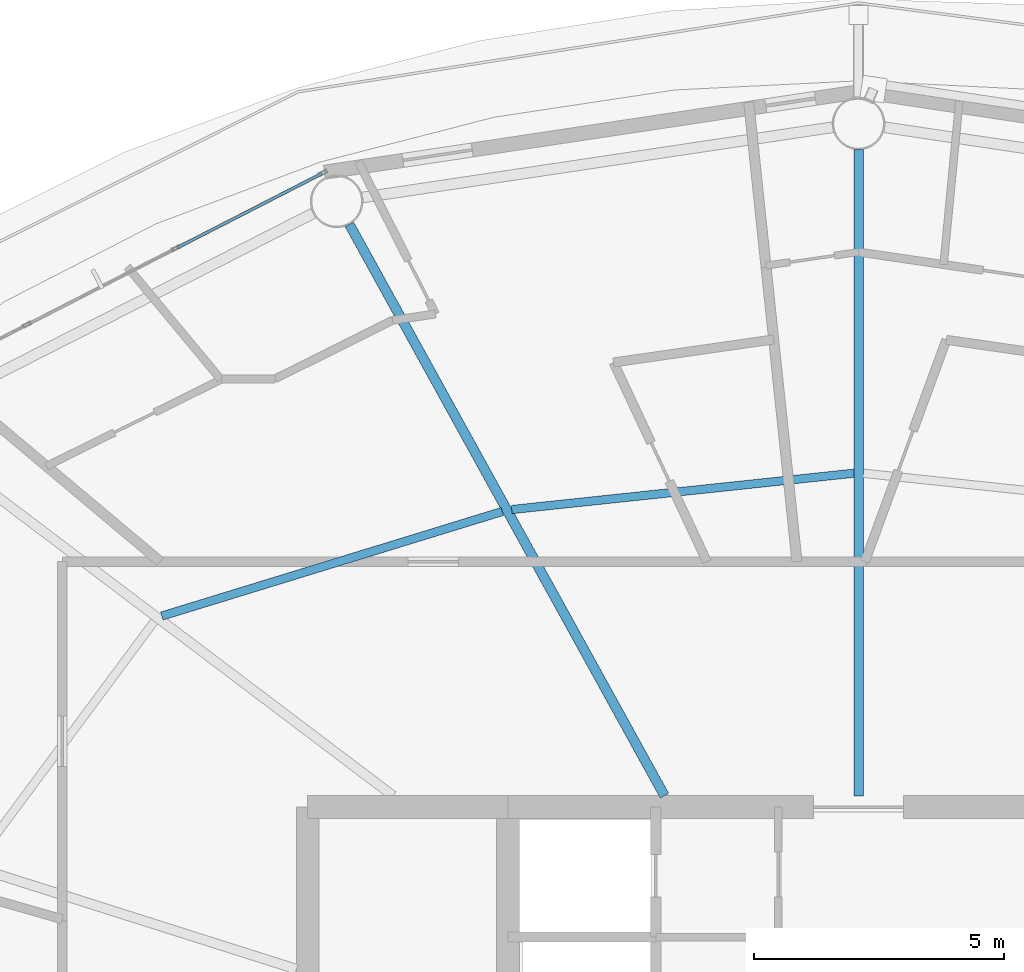
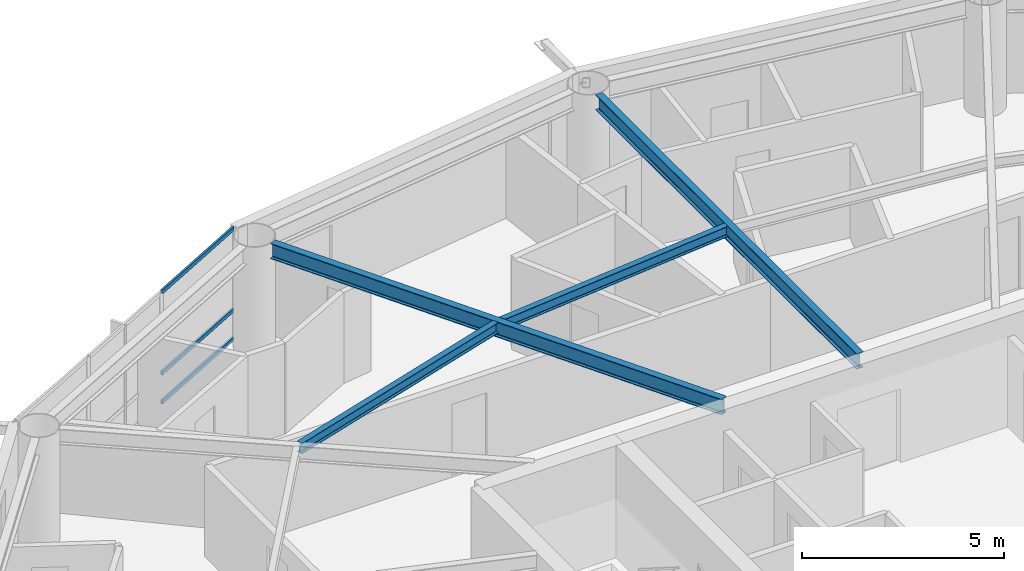
# One storey, part 12 of 29: 4 beams, 3 members, 1 element without a shape of its own.
"""IFC4 building model written with IfcOpenShell, lengths in metres."""

from ifc_helpers import new_model, si_unit, direction, frame, origin, origin_2d, place, context, subcontext, project, spatial, hollow_rectangle, i_section, extrude, material, layer, layer_set, material_profile, profile_set, type_object, element, aggregate, save


model = new_model("IFC4")

# Units and contexts
model_context = context("Model", 3, precision=1e-05, world=origin(), true_north=direction((0.0, 1.0)))
body_context = subcontext(model_context, "Body", "Model", "MODEL_VIEW")
ifc_project = project(units=[si_unit("LENGTHUNIT", "METRE"), si_unit("AREAUNIT", "SQUARE_METRE"), si_unit("VOLUMEUNIT", "CUBIC_METRE"), si_unit("PLANEANGLEUNIT", "RADIAN"), si_unit("MASSUNIT", "GRAM", prefix="KILO")], contexts=[model_context])

# Site, building, storey
site_placement = place(None, origin())
site = spatial("IfcSite", under=ifc_project, at=site_placement, CompositionType="ELEMENT")
building_placement = place(site_placement, origin())
building = spatial("IfcBuilding", under=site, at=building_placement, Name="Sarneth Arch Tower", CompositionType="ELEMENT")
storey_placement = place(building_placement, frame((0.0, 0.0, 175.800048828125)))
storey = spatial("IfcBuildingStorey", under=building, at=storey_placement, Name="L44", CompositionType="ELEMENT", Elevation=175.800048828125)

# Beams
ifc_material_1 = material(Name="Steel S355", Category="steel")
ifc_material_profile_1 = material_profile(ifc_material_1, i_section(OverallWidth=0.1669921875, OverallDepth=0.31689453125, WebThickness=0.007568359375, FlangeThickness=0.01318359375, FilletRadius=0.012939453125, at=origin_2d()), Name="W310x52")
ifc_profile_set_1 = profile_set([ifc_material_profile_1], Name="Steel S355")
beam_type_1 = type_object("IfcBeamType", Name="BM-JOIST-310B", PredefinedType="JOIST", material=ifc_profile_set_1)
beam_1_placement = place(storey_placement, frame((47.904052734375, 55.46484375, 3.221435546875), z_axis=(-0.994407831942, -0.105608066799, 0.0), x_axis=(0.105608066799, -0.994407831942, 0.0)))
element("IfcBeam", 1, at=beam_1_placement, inside=storey, type_object=beam_type_1, Name="L44 Secondary floor joist 05", PredefinedType="JOIST", context=body_context, shape_type="SweptSolid", body=[
    extrude(i_section(OverallWidth=0.1669921875, OverallDepth=0.31689453125, WebThickness=0.007568359375, FlangeThickness=0.01318359375, FilletRadius=0.012939453125, at=origin_2d()), origin(), (0.0, 0.0, 1.0), 6.8681640625),
])
beam_2_placement = place(storey_placement, frame((40.885986328125, 54.700927734375, 3.221435546875), z_axis=(-0.955929549608, -0.293596144707, 0.0), x_axis=(0.293596144707, -0.955929549608, 0.0)))
element("IfcBeam", 2, at=beam_2_placement, inside=storey, type_object=beam_type_1, Name="L44 Secondary floor joist 06", PredefinedType="JOIST", context=body_context, shape_type="SweptSolid", body=[
    extrude(i_section(OverallWidth=0.1669921875, OverallDepth=0.31689453125, WebThickness=0.007568359375, FlangeThickness=0.01318359375, FilletRadius=0.012939453125, at=origin_2d()), origin(), (0.0, 0.0, 1.0), 7.1123046875),
])
ifc_material_2 = material(Name="Steel S355", Category="steel")
ifc_material_profile_2 = material_profile(ifc_material_2, i_section(OverallWidth=0.193115234375, OverallDepth=0.466064453125, WebThickness=0.011474609375, FlangeThickness=0.01904296875, FilletRadius=0.01806640625, at=origin_2d()), Name="W460x97")
ifc_profile_set_2 = profile_set([ifc_material_profile_2], Name="Steel S355")
beam_type_2 = type_object("IfcBeamType", Name="BM-RAD-460C", PredefinedType="BEAM", material=ifc_profile_set_2)
beam_3_placement = place(storey_placement, frame((48.0, 49.02490234375, 3.14697265625), z_axis=(0.0, 1.0, 0.0), x_axis=(-1.0, 0.0, 0.0)))
element("IfcBeam", 3, at=beam_3_placement, inside=storey, type_object=beam_type_2, Name="L44 Radial floor girder 05", PredefinedType="BEAM", context=body_context, shape_type="SweptSolid", body=[
    extrude(i_section(OverallWidth=0.193115234375, OverallDepth=0.466064453125, WebThickness=0.011474609375, FlangeThickness=0.01904296875, FilletRadius=0.01806640625, at=origin_2d()), origin(), (0.0, 0.0, 1.0), 12.900146484375),
])
beam_4_placement = place(storey_placement, frame((44.125, 49.02490234375, 3.14697265625), z_axis=(-0.483004525121, 0.87561785541, 0.0), x_axis=(-0.87561785541, -0.483004525121, 0.0)))
element("IfcBeam", 4, at=beam_4_placement, inside=storey, type_object=beam_type_2, Name="L44 Radial floor girder 06", PredefinedType="BEAM", context=body_context, shape_type="SweptSolid", body=[
    extrude(i_section(OverallWidth=0.193115234375, OverallDepth=0.466064453125, WebThickness=0.011474609375, FlangeThickness=0.01904296875, FilletRadius=0.01806640625, at=origin_2d()), origin(), (0.0, 0.0, 1.0), 13.029296875),
])

# Curtain wall, members
ifc_material_3 = material(Name="Anodised aluminium Type AA25 and solar-control low-e laminated IGU", Category="aluminium")
ifc_layer = layer(ifc_material_3, 0.169921875)
ifc_layer_set = layer_set([ifc_layer], Name="Anodised aluminium Type AA25 and solar-control low-e laminated IGU")
curtain_wall_type = type_object("IfcCurtainWallType", Name="CW-RES-MID", PredefinedType="NOTDEFINED", material=ifc_layer_set)
curtain_wall_placement = place(storey_placement, origin())
curtain_wall = element("IfcCurtainWall", 5, at=curtain_wall_placement, inside=storey, type_object=curtain_wall_type, Name="L44 Unitised curtain wall facet 06", PredefinedType="NOTDEFINED")
ifc_material_4 = material(Name="Anodised Aluminium 6063-T6", Category="aluminium")
ifc_material_profile_3 = material_profile(ifc_material_4, hollow_rectangle(XDim=0.06005859375, YDim=0.1201171875, WallThickness=0.00390625, at=origin_2d()), Name="AL-TRAN-120x60x4")
ifc_profile_set_3 = profile_set([ifc_material_profile_3], Name="Anodised Aluminium 6063-T6")
member_type = type_object("IfcMemberType", Name="CW-TRANSOM", PredefinedType="USERDEFINED", material=ifc_profile_set_3)
member_1_placement = place(storey_placement, frame((37.28369140625, 61.447998046875, 0.030029296875), z_axis=(-0.889857362344, -0.456238835131, 0.0), x_axis=(0.456238835131, -0.889857362344, 0.0)))
member_1 = element("IfcMember", 6, at=member_1_placement, type_object=member_type, Name="CW-SYS-5 transom 1.1", ObjectType="TRANSOM", PredefinedType="USERDEFINED", context=body_context, shape_type="SweptSolid", body=[
    extrude(hollow_rectangle(XDim=0.06005859375, YDim=0.1201171875, WallThickness=0.00390625, at=origin_2d()), origin(), (0.0, 0.0, 1.0), 3.248779296875),
])
member_2_placement = place(storey_placement, frame((37.28369140625, 61.447998046875, 0.89990234375), z_axis=(-0.889857362344, -0.456238835131, 0.0), x_axis=(0.456238835131, -0.889857362344, 0.0)))
member_2 = element("IfcMember", 7, at=member_2_placement, type_object=member_type, Name="CW-SYS-5 transom 1.2", ObjectType="TRANSOM", PredefinedType="USERDEFINED", context=body_context, shape_type="SweptSolid", body=[
    extrude(hollow_rectangle(XDim=0.06005859375, YDim=0.1201171875, WallThickness=0.00390625, at=origin_2d()), origin(), (0.0, 0.0, 1.0), 3.248779296875),
])
member_3_placement = place(storey_placement, frame((37.28369140625, 61.447998046875, 3.349853515625), z_axis=(-0.889857362344, -0.456238835131, 0.0), x_axis=(0.456238835131, -0.889857362344, 0.0)))
member_3 = element("IfcMember", 8, at=member_3_placement, type_object=member_type, Name="CW-SYS-5 transom 1.3", ObjectType="TRANSOM", PredefinedType="USERDEFINED", context=body_context, shape_type="SweptSolid", body=[
    extrude(hollow_rectangle(XDim=0.06005859375, YDim=0.1201171875, WallThickness=0.00390625, at=origin_2d()), origin(), (0.0, 0.0, 1.0), 3.248779296875),
])
aggregate(curtain_wall, [member_1, member_2, member_3])

save(model, "model.ifc")
